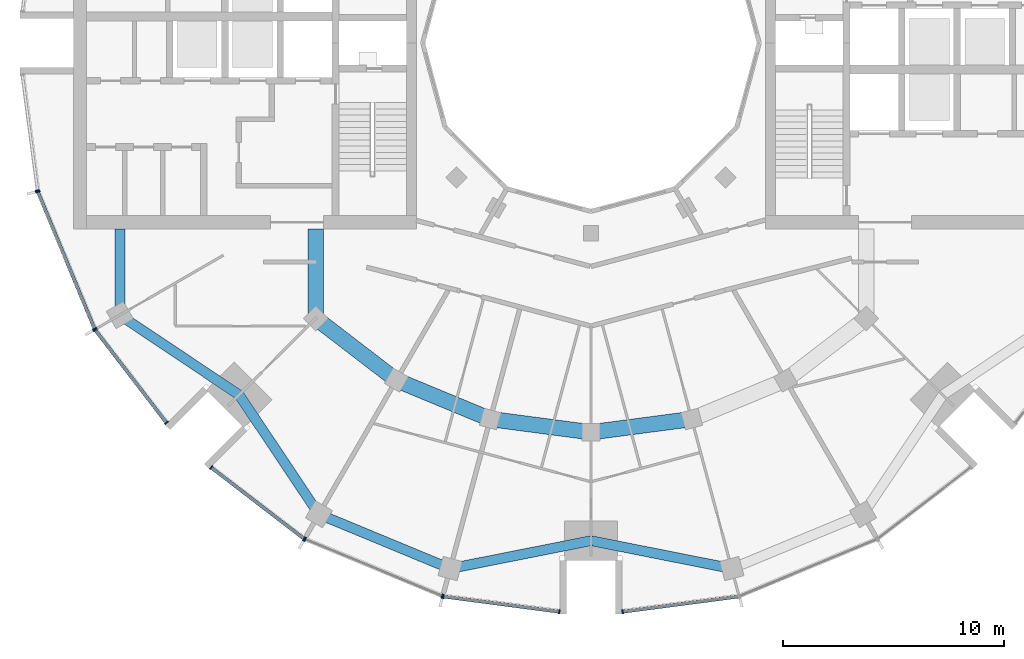
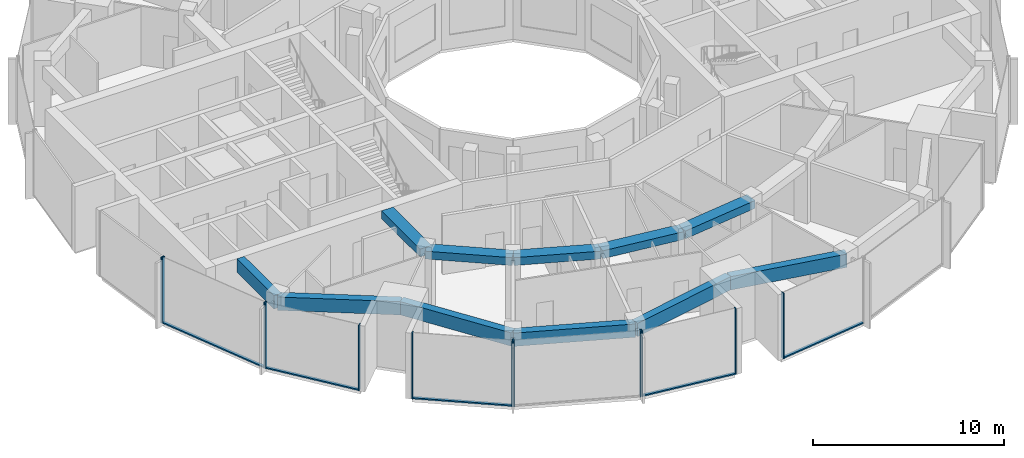
# One storey, part 2 of 15: 17 members, 11 beams, 7 elements without a shape of their own.
"""IFC4 building model written with IfcOpenShell, lengths in metres."""

from ifc_helpers import new_model, si_unit, direction, frame, origin, origin_2d, place, context, subcontext, project, spatial, rectangle, extrude, material, layer, layer_set, material_profile, profile_set, type_object, element, aggregate, save


model = new_model("IFC4")

# Units and contexts
model_context = context("Model", 3, precision=1e-05, world=origin(), true_north=direction((0.0, 1.0)))
body_context = subcontext(model_context, "Body", "Model", "MODEL_VIEW")
ifc_project = project(units=[si_unit("LENGTHUNIT", "METRE"), si_unit("AREAUNIT", "SQUARE_METRE"), si_unit("VOLUMEUNIT", "CUBIC_METRE"), si_unit("PLANEANGLEUNIT", "RADIAN"), si_unit("MASSUNIT", "GRAM", prefix="KILO")], contexts=[model_context])

# Site, building, storey
site_placement = place(None, origin())
site = spatial("IfcSite", under=ifc_project, at=site_placement, CompositionType="ELEMENT")
building_placement = place(site_placement, origin())
building = spatial("IfcBuilding", under=site, at=building_placement, Name="Torre Brocal", CompositionType="ELEMENT")
storey_placement = place(building_placement, frame((0.0, 0.0, 212.5)))
storey = spatial("IfcBuildingStorey", under=building, at=storey_placement, Name="L49", CompositionType="ELEMENT", Elevation=212.5)

# Curtain wall, members
ifc_material_1 = material(Name="Aluminium and glass", Category="aluminium")
ifc_layer_1 = layer(ifc_material_1, 0.199951171875)
ifc_layer_set_1 = layer_set([ifc_layer_1], Name="Aluminium and glass")
curtain_wall_type_1 = type_object("IfcCurtainWallType", Name="CW-1 CURTAIN WALL 4200 HIGH", PredefinedType="NOTDEFINED", material=ifc_layer_set_1)
curtain_wall_1_placement = place(storey_placement, origin())
curtain_wall_1 = element("IfcCurtainWall", 1, at=curtain_wall_1_placement, inside=storey, type_object=curtain_wall_type_1, Name="CW-1 RUN 14", PredefinedType="NOTDEFINED")
ifc_material_2 = material(Name="Aluminium, dark anodised", Category="aluminium")
ifc_material_profile_1 = material_profile(ifc_material_2, rectangle(XDim=0.199951171875, YDim=0.06005859375, at=origin_2d()), Name="CW-1 MULLION 60X200")
ifc_profile_set_1 = profile_set([ifc_material_profile_1], Name="Aluminium, dark anodised")
member_type_1 = type_object("IfcMemberType", Name="CW-1 MULLION 60X200", PredefinedType="MULLION", material=ifc_profile_set_1)
member_1_placement = place(storey_placement, frame((54.994873046875, 68.26904296875, 0.0), z_axis=(0.0, 0.0, 1.0), x_axis=(0.923879532525, 0.382683432333, 0.0)))
member_1 = element("IfcMember", 2, at=member_1_placement, type_object=member_type_1, Name="CW1-5 mullion 1", PredefinedType="MULLION", context=body_context, shape_type="SweptSolid", body=[
    extrude(rectangle(XDim=0.199951171875, YDim=0.06005859375, at=origin_2d()), origin(), (0.0, 0.0, 1.0), 4.199951171875),
])
member_2_placement = place(storey_placement, frame((57.559326171875, 62.078125, 0.0), z_axis=(0.0, 0.0, 1.0), x_axis=(0.923879532525, 0.382683432333, 0.0)))
member_2 = element("IfcMember", 3, at=member_2_placement, type_object=member_type_1, Name="CW1-5 mullion 2", PredefinedType="MULLION", context=body_context, shape_type="SweptSolid", body=[
    extrude(rectangle(XDim=0.199951171875, YDim=0.06005859375, at=origin_2d()), origin(), (0.0, 0.0, 1.0), 4.199951171875),
])

curtain_wall_2_placement = place(storey_placement, origin())
curtain_wall_2 = element("IfcCurtainWall", 4, at=curtain_wall_2_placement, inside=storey, type_object=curtain_wall_type_1, Name="CW-1 RUN 15", PredefinedType="NOTDEFINED")
member_3_placement = place(storey_placement, frame((57.5888671875, 62.026611328125, 0.0), z_axis=(0.0, 0.0, 1.0), x_axis=(0.793353340259, 0.60876142905, 0.0)))
member_3 = element("IfcMember", 5, at=member_3_placement, type_object=member_type_1, Name="CW1-5 mullion 1", PredefinedType="MULLION", context=body_context, shape_type="SweptSolid", body=[
    extrude(rectangle(XDim=0.199951171875, YDim=0.06005859375, at=origin_2d()), origin(), (0.0, 0.0, 1.0), 4.199951171875),
])
member_4_placement = place(storey_placement, frame((60.80859375, 57.83056640625, 0.0), z_axis=(0.0, 0.0, 1.0), x_axis=(0.793353340259, 0.60876142905, 0.0)))
member_4 = element("IfcMember", 6, at=member_4_placement, type_object=member_type_1, Name="CW1-5 mullion 2", PredefinedType="MULLION", context=body_context, shape_type="SweptSolid", body=[
    extrude(rectangle(XDim=0.199951171875, YDim=0.06005859375, at=origin_2d()), origin(), (0.0, 0.0, 1.0), 4.199951171875),
])

curtain_wall_3_placement = place(storey_placement, origin())
curtain_wall_3 = element("IfcCurtainWall", 7, at=curtain_wall_3_placement, inside=storey, type_object=curtain_wall_type_1, Name="CW-1 RUN 16", PredefinedType="NOTDEFINED")
member_5_placement = place(storey_placement, frame((62.83056640625, 55.80859375, 0.0), z_axis=(0.0, 0.0, 1.0), x_axis=(0.60876142905, 0.793353340259, 0.0)))
member_5 = element("IfcMember", 8, at=member_5_placement, type_object=member_type_1, Name="CW1-5 mullion 1", PredefinedType="MULLION", context=body_context, shape_type="SweptSolid", body=[
    extrude(rectangle(XDim=0.199951171875, YDim=0.06005859375, at=origin_2d()), origin(), (0.0, 0.0, 1.0), 4.199951171875),
])
member_6_placement = place(storey_placement, frame((67.026611328125, 52.5888671875, 0.0), z_axis=(0.0, 0.0, 1.0), x_axis=(0.60876142905, 0.793353340259, 0.0)))
member_6 = element("IfcMember", 9, at=member_6_placement, type_object=member_type_1, Name="CW1-5 mullion 2", PredefinedType="MULLION", context=body_context, shape_type="SweptSolid", body=[
    extrude(rectangle(XDim=0.199951171875, YDim=0.06005859375, at=origin_2d()), origin(), (0.0, 0.0, 1.0), 4.199951171875),
])

curtain_wall_4_placement = place(storey_placement, origin())
curtain_wall_4 = element("IfcCurtainWall", 10, at=curtain_wall_4_placement, inside=storey, type_object=curtain_wall_type_1, Name="CW-1 RUN 17", PredefinedType="NOTDEFINED")
member_7_placement = place(storey_placement, frame((67.078125, 52.559326171875, 0.0), z_axis=(0.0, 0.0, 1.0), x_axis=(0.382683432333, 0.923879532525, 0.0)))
member_7 = element("IfcMember", 11, at=member_7_placement, type_object=member_type_1, Name="CW1-5 mullion 1", PredefinedType="MULLION", context=body_context, shape_type="SweptSolid", body=[
    extrude(rectangle(XDim=0.199951171875, YDim=0.06005859375, at=origin_2d()), origin(), (0.0, 0.0, 1.0), 4.199951171875),
])
member_8_placement = place(storey_placement, frame((73.26904296875, 49.994873046875, 0.0), z_axis=(0.0, 0.0, 1.0), x_axis=(0.382683432333, 0.923879532525, 0.0)))
member_8 = element("IfcMember", 12, at=member_8_placement, type_object=member_type_1, Name="CW1-5 mullion 2", PredefinedType="MULLION", context=body_context, shape_type="SweptSolid", body=[
    extrude(rectangle(XDim=0.199951171875, YDim=0.06005859375, at=origin_2d()), origin(), (0.0, 0.0, 1.0), 4.199951171875),
])
aggregate(curtain_wall_4, [member_7, member_8])

curtain_wall_5_placement = place(storey_placement, origin())
curtain_wall_5 = element("IfcCurtainWall", 13, at=curtain_wall_5_placement, inside=storey, type_object=curtain_wall_type_1, Name="CW-1 RUN 18", PredefinedType="NOTDEFINED")
member_9_placement = place(storey_placement, frame((73.32666015625, 49.9794921875, 0.0), z_axis=(0.0, 0.0, 1.0), x_axis=(0.13052619222, 0.991444861374, 0.0)))
member_9 = element("IfcMember", 14, at=member_9_placement, type_object=member_type_1, Name="CW1-5 mullion 1", PredefinedType="MULLION", context=body_context, shape_type="SweptSolid", body=[
    extrude(rectangle(XDim=0.199951171875, YDim=0.06005859375, at=origin_2d()), origin(), (0.0, 0.0, 1.0), 4.199951171875),
])
member_10_placement = place(storey_placement, frame((78.5703125, 49.2890625, 0.0), z_axis=(0.0, 0.0, 1.0), x_axis=(0.13052619222, 0.991444861374, 0.0)))
member_10 = element("IfcMember", 15, at=member_10_placement, type_object=member_type_1, Name="CW1-5 mullion 2", PredefinedType="MULLION", context=body_context, shape_type="SweptSolid", body=[
    extrude(rectangle(XDim=0.199951171875, YDim=0.06005859375, at=origin_2d()), origin(), (0.0, 0.0, 1.0), 4.199951171875),
])

# Curtain wall, member
curtain_wall_6_placement = place(storey_placement, origin())
curtain_wall_6 = element("IfcCurtainWall", 16, at=curtain_wall_6_placement, inside=storey, type_object=curtain_wall_type_1, Name="CW-1 RUN 19", PredefinedType="NOTDEFINED")
member_11_placement = place(storey_placement, frame((81.4296875, 49.2890625, 0.0), z_axis=(0.0, 0.0, 1.0), x_axis=(-0.13052619222, 0.991444861374, 0.0)))
member_11 = element("IfcMember", 17, at=member_11_placement, type_object=member_type_1, Name="CW1-5 mullion 1", PredefinedType="MULLION", context=body_context, shape_type="SweptSolid", body=[
    extrude(rectangle(XDim=0.199951171875, YDim=0.06005859375, at=origin_2d()), origin(), (0.0, 0.0, 1.0), 4.199951171875),
])

# Member
ifc_material_3 = material(Name="Aluminium, dark anodised", Category="aluminium")
ifc_material_profile_2 = material_profile(ifc_material_3, rectangle(XDim=0.159912109375, YDim=0.080078125, at=origin_2d()), Name="CW-1 TRANSOM 160X80")
ifc_profile_set_2 = profile_set([ifc_material_profile_2], Name="Aluminium, dark anodised")
member_type_2 = type_object("IfcMemberType", Name="CW-1 TRANSOM 160X80", PredefinedType="USERDEFINED", material=ifc_profile_set_2)
member_12_placement = place(storey_placement, frame((55.00634765625, 68.241455078125, 0.0400390625), z_axis=(0.38266457234, -0.923887344364, 0.0), x_axis=(0.923887344364, 0.38266457234, 0.0)))
member_12 = element("IfcMember", 18, at=member_12_placement, type_object=member_type_2, Name="CW1-5 transom 1.1", ObjectType="TRANSOM", PredefinedType="USERDEFINED", context=body_context, shape_type="SweptSolid", body=[
    extrude(rectangle(XDim=0.159912109375, YDim=0.080078125, at=origin_2d()), origin(), (0.0, 0.0, 1.0), 6.640869140625),
])

aggregate(curtain_wall_1, [member_1, member_2, member_12])

member_13_placement = place(storey_placement, frame((57.607177734375, 62.0029296875, 0.0400390625), z_axis=(0.60874908096, -0.79336281513, 0.0), x_axis=(0.79336281513, 0.60874908096, 0.0)))
member_13 = element("IfcMember", 19, at=member_13_placement, type_object=member_type_2, Name="CW1-5 transom 1.1", ObjectType="TRANSOM", PredefinedType="USERDEFINED", context=body_context, shape_type="SweptSolid", body=[
    extrude(rectangle(XDim=0.159912109375, YDim=0.080078125, at=origin_2d()), origin(), (0.0, 0.0, 1.0), 5.22900390625),
])

aggregate(curtain_wall_2, [member_3, member_4, member_13])

member_14_placement = place(storey_placement, frame((62.8544921875, 55.790283203125, 0.0400390625), z_axis=(0.79336281513, -0.60874908096, 0.0), x_axis=(0.60874908096, 0.79336281513, 0.0)))
member_14 = element("IfcMember", 20, at=member_14_placement, type_object=member_type_2, Name="CW1-5 transom 1.1", ObjectType="TRANSOM", PredefinedType="USERDEFINED", context=body_context, shape_type="SweptSolid", body=[
    extrude(rectangle(XDim=0.159912109375, YDim=0.080078125, at=origin_2d()), origin(), (0.0, 0.0, 1.0), 5.22900390625),
])

aggregate(curtain_wall_3, [member_5, member_6, member_14])

member_15_placement = place(storey_placement, frame((73.356201171875, 49.9755859375, 0.0400390625), z_axis=(0.991442690863, -0.130542677827, 0.0), x_axis=(0.130542677827, 0.991442690863, 0.0)))
member_15 = element("IfcMember", 21, at=member_15_placement, type_object=member_type_2, Name="CW1-5 transom 1.1", ObjectType="TRANSOM", PredefinedType="USERDEFINED", context=body_context, shape_type="SweptSolid", body=[
    extrude(rectangle(XDim=0.159912109375, YDim=0.080078125, at=origin_2d()), origin(), (0.0, 0.0, 1.0), 5.22900390625),
])

aggregate(curtain_wall_5, [member_9, member_10, member_15])

member_16_placement = place(storey_placement, frame((81.45947265625, 49.29296875, 0.0400390625), z_axis=(0.991442690863, 0.130542677827, 0.0), x_axis=(-0.130542677827, 0.991442690863, 0.0)))
member_16 = element("IfcMember", 22, at=member_16_placement, type_object=member_type_2, Name="CW1-5 transom 1.1", ObjectType="TRANSOM", PredefinedType="USERDEFINED", context=body_context, shape_type="SweptSolid", body=[
    extrude(rectangle(XDim=0.159912109375, YDim=0.080078125, at=origin_2d()), origin(), (0.0, 0.0, 1.0), 5.22900390625),
])

aggregate(curtain_wall_6, [member_11, member_16])

# Curtain wall, member
ifc_material_4 = material(Name="Aluminium and glass", Category="aluminium")
ifc_layer_2 = layer(ifc_material_4, 0.199951171875)
ifc_layer_set_2 = layer_set([ifc_layer_2], Name="Aluminium and glass")
curtain_wall_type_2 = type_object("IfcCurtainWallType", Name="CW-1B CURTAIN WALL 4200 HIGH", PredefinedType="NOTDEFINED", material=ifc_layer_set_2)
curtain_wall_7_placement = place(storey_placement, origin())
curtain_wall_7 = element("IfcCurtainWall", 23, at=curtain_wall_7_placement, inside=storey, type_object=curtain_wall_type_2, Name="CW-1B RUN 13", PredefinedType="NOTDEFINED")
ifc_material_5 = material(Name="Aluminium, dark anodised", Category="aluminium")
ifc_material_profile_3 = material_profile(ifc_material_5, rectangle(XDim=0.199951171875, YDim=0.06005859375, at=origin_2d()), Name="CW-1B MULLION 60X200")
ifc_profile_set_3 = profile_set([ifc_material_profile_3], Name="Aluminium, dark anodised")
member_type_3 = type_object("IfcMemberType", Name="CW-1B MULLION 60X200", PredefinedType="MULLION", material=ifc_profile_set_3)
member_17_placement = place(storey_placement, frame((54.9794921875, 68.32666015625, 0.0), z_axis=(0.0, 0.0, 1.0), x_axis=(0.991444861374, 0.13052619222, 0.0)))
member_17 = element("IfcMember", 24, at=member_17_placement, type_object=member_type_3, Name="CW1B-5 mullion 2", PredefinedType="MULLION", context=body_context, shape_type="SweptSolid", body=[
    extrude(rectangle(XDim=0.199951171875, YDim=0.06005859375, at=origin_2d()), origin(), (0.0, 0.0, 1.0), 4.199951171875),
])
aggregate(curtain_wall_7, [member_17])

# Beams
ifc_material_6 = material(Name="Concrete C50", Category="concrete")
ifc_material_profile_4 = material_profile(ifc_material_6, rectangle(XDim=0.699951171875, YDim=0.5, at=origin_2d()), Name="RC 700X500")
ifc_profile_set_4 = profile_set([ifc_material_profile_4], Name="Concrete C50")
beam_type_1 = type_object("IfcBeamType", Name="RC BEAM 700X500 C50 TOP 3880", PredefinedType="BEAM", material=ifc_profile_set_4)
beam_1_placement = place(storey_placement, frame((67.554931640625, 62.554931640625, 3.6298828125), z_axis=(0.0, 1.0, 0.0), x_axis=(-1.0, 0.0, 0.0)))
element("IfcBeam", 25, at=beam_1_placement, inside=storey, type_object=beam_type_1, Name="Beam BT-37", PredefinedType="BEAM", context=body_context, shape_type="SweptSolid", body=[
    extrude(rectangle(XDim=0.699951171875, YDim=0.5, at=origin_2d()), origin(), (0.0, 0.0, 1.0), 4.045166015625),
])
beam_2_placement = place(storey_placement, frame((67.554931640625, 62.554931640625, 3.6298828125), z_axis=(0.793358265959, -0.6087550097, 0.0), x_axis=(0.6087550097, 0.793358265959, 0.0)))
element("IfcBeam", 26, at=beam_2_placement, inside=storey, type_object=beam_type_1, Name="Beam BT-37", PredefinedType="BEAM", context=body_context, shape_type="SweptSolid", body=[
    extrude(rectangle(XDim=0.699951171875, YDim=0.5, at=origin_2d()), origin(), (0.0, 0.0, 1.0), 4.594482421875),
])
beam_3_placement = place(storey_placement, frame((71.199951171875, 59.758056640625, 3.6298828125), z_axis=(0.923878240166, -0.382686552348, 0.0), x_axis=(0.382686552348, 0.923878240166, 0.0)))
element("IfcBeam", 27, at=beam_3_placement, inside=storey, type_object=beam_type_1, Name="Beam BT-37", PredefinedType="BEAM", context=body_context, shape_type="SweptSolid", body=[
    extrude(rectangle(XDim=0.699951171875, YDim=0.5, at=origin_2d()), origin(), (0.0, 0.0, 1.0), 4.5947265625),
])
for number, where, z_axis, x_axis, name in (
    (28, (75.44482421875, 57.999755859375, 3.6298828125), (0.991440544449, -0.130558978332, 0.0), (0.130558978332, 0.991440544449, 0.0), "Beam BT-37"),
    (29, (80.0, 57.39990234375, 3.6298828125), (0.991440544449, 0.130558978332, 0.0), (-0.130558978332, 0.991440544449, 0.0), "Beam BT-37"),
):
    element("IfcBeam", number, at=place(storey_placement, frame(where, z_axis=z_axis, x_axis=x_axis)), inside=storey, type_object=beam_type_1, Name=name, PredefinedType="BEAM", context=body_context, shape_type="SweptSolid", body=[
        extrude(rectangle(XDim=0.699951171875, YDim=0.5, at=origin_2d()), origin(), (0.0, 0.0, 1.0), 4.594482421875),
    ])
ifc_material_7 = material(Name="Concrete C50", Category="concrete")
ifc_material_profile_5 = material_profile(ifc_material_7, rectangle(XDim=0.449951171875, YDim=0.85009765625, at=origin_2d()), Name="RC 450X850")
ifc_profile_set_5 = profile_set([ifc_material_profile_5], Name="Concrete C50")
beam_type_2 = type_object("IfcBeamType", Name="RC SPANDREL BEAM 450X850 C50 TOP 3880", PredefinedType="SPANDREL", material=ifc_profile_set_5)
beam_4_placement = place(storey_placement, frame((58.69580078125, 62.699951171875, 3.455078125), z_axis=(0.0, 1.0, 0.0), x_axis=(-1.0, 0.0, 0.0)))
element("IfcBeam", 30, at=beam_4_placement, inside=storey, type_object=beam_type_2, Name="Beam BT-38", PredefinedType="SPANDREL", context=body_context, shape_type="SweptSolid", body=[
    extrude(rectangle(XDim=0.449951171875, YDim=0.85009765625, at=origin_2d()), origin(), (0.0, 0.0, 1.0), 3.900146484375),
])
for number, where, z_axis, x_axis, name in (
    (31, (58.69580078125, 62.699951171875, 3.455078125), (0.831076844476, -0.556157602282, 0.0), (0.556157602282, 0.831076844476, 0.0), "Beam BT-38"),
    (32, (64.090087890625, 59.090087890625, 3.455078125), (0.556157602282, -0.831076844476, 0.0), (0.831076844476, 0.556157602282, 0.0), "Beam BT-38"),
):
    element("IfcBeam", number, at=place(storey_placement, frame(where, z_axis=z_axis, x_axis=x_axis)), inside=storey, type_object=beam_type_2, Name=name, PredefinedType="SPANDREL", context=body_context, shape_type="SweptSolid", body=[
        extrude(rectangle(XDim=0.449951171875, YDim=0.85009765625, at=origin_2d()), origin(), (0.0, 0.0, 1.0), 6.49072265625),
    ])
beam_5_placement = place(storey_placement, frame((67.699951171875, 53.69580078125, 3.455078125), z_axis=(0.923882462513, -0.382676358639, 0.0), x_axis=(0.382676358639, 0.923882462513, 0.0)))
element("IfcBeam", 33, at=beam_5_placement, inside=storey, type_object=beam_type_2, Name="Beam BT-38", PredefinedType="SPANDREL", context=body_context, shape_type="SweptSolid", body=[
    extrude(rectangle(XDim=0.449951171875, YDim=0.85009765625, at=origin_2d()), origin(), (0.0, 0.0, 1.0), 6.421875),
])
for number, where, z_axis, x_axis, name in (
    (34, (73.633056640625, 51.23828125, 3.455078125), (0.980924907484, 0.194387051723, 0.0), (-0.194387051723, 0.980924907484, 0.0), "Beam BT-38"),
    (35, (80.0, 52.5, 3.455078125), (0.980924907484, -0.194387051723, 0.0), (0.194387051723, 0.980924907484, 0.0), "Beam BT-38"),
):
    element("IfcBeam", number, at=place(storey_placement, frame(where, z_axis=z_axis, x_axis=x_axis)), inside=storey, type_object=beam_type_2, Name=name, PredefinedType="SPANDREL", context=body_context, shape_type="SweptSolid", body=[
        extrude(rectangle(XDim=0.449951171875, YDim=0.85009765625, at=origin_2d()), origin(), (0.0, 0.0, 1.0), 6.49072265625),
    ])

save(model, "model.ifc")
